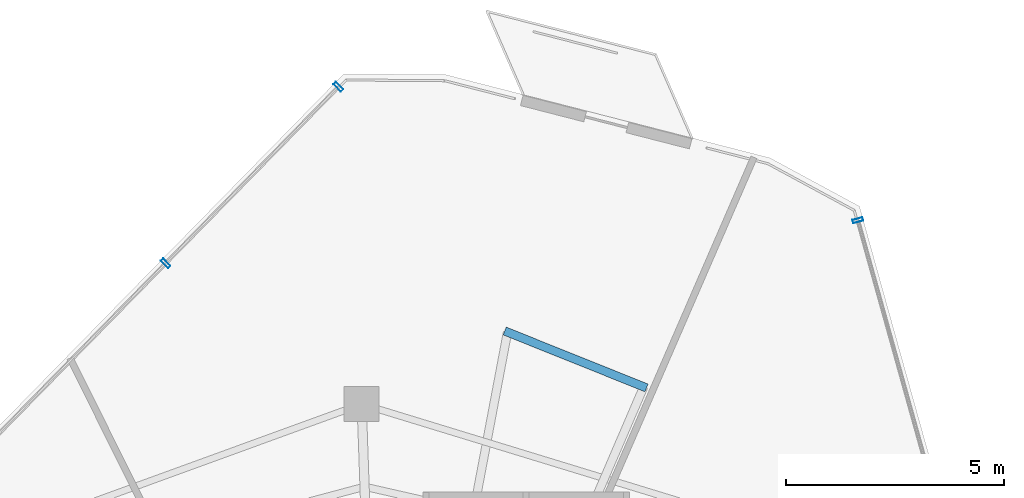
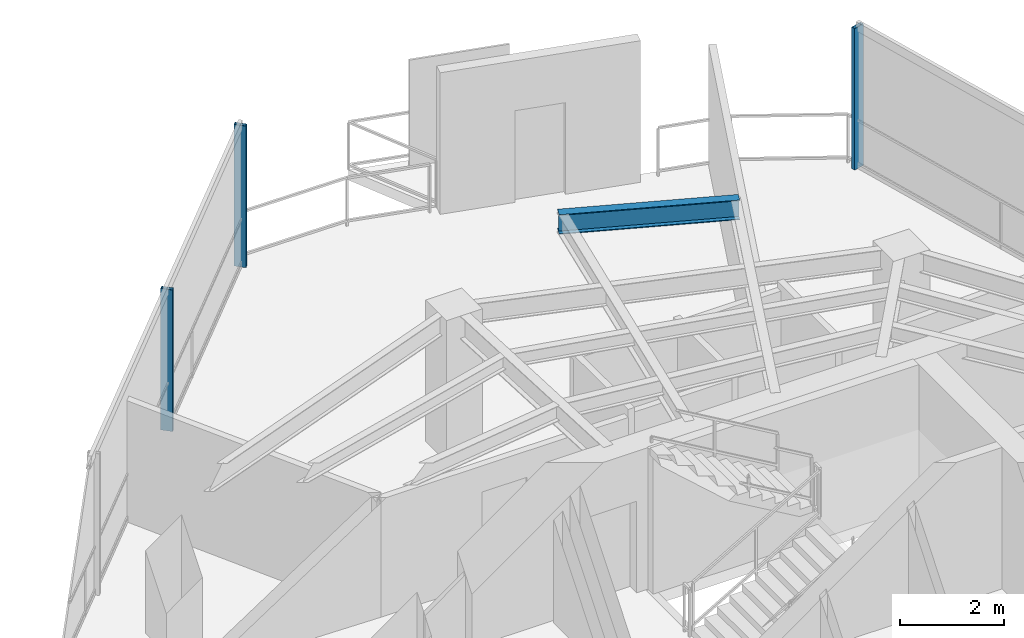
# One storey, part 13 of 18: 3 members, 1 beam, 2 elements without a shape of their own.
"""IFC4 building model written with IfcOpenShell, lengths in metres."""

from ifc_helpers import new_model, si_unit, direction, frame, origin, origin_2d, place, context, subcontext, project, spatial, hollow_rectangle, i_section, extrude, material, layer, layer_set, material_profile, profile_set, type_object, element, aggregate, save


model = new_model("IFC4")

# Units and contexts
model_context = context("Model", 3, precision=1e-05, world=origin(), true_north=direction((0.0, 1.0)))
body_context = subcontext(model_context, "Body", "Model", "MODEL_VIEW")
ifc_project = project(units=[si_unit("LENGTHUNIT", "METRE"), si_unit("AREAUNIT", "SQUARE_METRE"), si_unit("VOLUMEUNIT", "CUBIC_METRE"), si_unit("PLANEANGLEUNIT", "RADIAN"), si_unit("MASSUNIT", "GRAM", prefix="KILO")], contexts=[model_context])

# Site, building, storey
site_placement = place(None, origin())
site = spatial("IfcSite", under=ifc_project, at=site_placement, CompositionType="ELEMENT")
building_placement = place(site_placement, origin())
building = spatial("IfcBuilding", under=site, at=building_placement, Name="Qarnah Convention Tower", CompositionType="ELEMENT")
storey_placement = place(building_placement, frame((0.0, 0.0, 239.10009765625)))
storey = spatial("IfcBuildingStorey", under=building, at=storey_placement, Name="L64", CompositionType="ELEMENT", Elevation=239.10009765625)

# Beam
ifc_material_1 = material(Name="Structural steel S355JR", Category="steel")
ifc_material_profile_1 = material_profile(ifc_material_1, i_section(OverallWidth=0.19189453125, OverallDepth=0.464111328125, WebThickness=0.010986328125, FlangeThickness=0.01806640625, at=origin_2d()), Name="W460X89")
ifc_profile_set_1 = profile_set([ifc_material_profile_1], Name="Structural steel S355JR")
beam_type = type_object("IfcBeamType", Name="BM-CANT-W460A", PredefinedType="BEAM", material=ifc_profile_set_1)
beam_placement = place(storey_placement, frame((40.009033203125, 41.6201171875, 3.087890625), z_axis=(0.928063247738, -0.372422620417, 0.0), x_axis=(0.372422620417, 0.928063247738, 0.0)))
element("IfcBeam", 1, at=beam_placement, inside=storey, type_object=beam_type, Name="L64 spandrel BM-L64-CTIE-01", PredefinedType="SPANDREL", context=body_context, shape_type="SweptSolid", body=[
    extrude(i_section(OverallWidth=0.19189453125, OverallDepth=0.464111328125, WebThickness=0.010986328125, FlangeThickness=0.01806640625, at=origin_2d()), origin(), (0.0, 0.0, 1.0), 3.507080078125),
])

# Curtain wall, members
ifc_material_2 = material(Name="Tempered Low-E dark glass", Category="glass")
ifc_layer = layer(ifc_material_2, 0.176025390625)
ifc_layer_set = layer_set([ifc_layer], Name="Tempered Low-E dark glass")
curtain_wall_type = type_object("IfcCurtainWallType", Name="CWS-05", PredefinedType="NOTDEFINED", material=ifc_layer_set)
curtain_wall_1_placement = place(storey_placement, origin())
curtain_wall_1 = element("IfcCurtainWall", 2, at=curtain_wall_1_placement, inside=storey, type_object=curtain_wall_type, Name="L64 unitised curtain wall CW-L64-F1", PredefinedType="NOTDEFINED")
ifc_material_3 = material(Name="Black anodised aluminium", Category="aluminium")
ifc_material_profile_2 = material_profile(ifc_material_3, hollow_rectangle(XDim=0.080078125, YDim=0.239990234375, WallThickness=0.0048828125, at=origin_2d()), Name="MUL-80X240")
ifc_profile_set_2 = profile_set([ifc_material_profile_2], Name="Black anodised aluminium")
member_type = type_object("IfcMemberType", Name="MUL-T5", PredefinedType="MULLION", material=ifc_profile_set_2)
member_1_placement = place(storey_placement, frame((32.22607421875, 43.171875, 0.0), z_axis=(0.0, 0.0, 1.0), x_axis=(0.699640931758, 0.714494623219, 0.0)))
member_1 = element("IfcMember", 3, at=member_1_placement, type_object=member_type, Name="CW-L64-F1 mullion 5", PredefinedType="MULLION", context=body_context, shape_type="SweptSolid", body=[
    extrude(hollow_rectangle(XDim=0.080078125, YDim=0.239990234375, WallThickness=0.0048828125, at=origin_2d()), origin(), (0.0, 0.0, 1.0), 3.31982421875),
])
member_2_placement = place(storey_placement, frame((36.19189453125, 47.221923828125, 0.0), z_axis=(0.0, 0.0, 1.0), x_axis=(0.699640931758, 0.714494623219, 0.0)))
member_2 = element("IfcMember", 4, at=member_2_placement, type_object=member_type, Name="CW-L64-F1 mullion 6", PredefinedType="MULLION", context=body_context, shape_type="SweptSolid", body=[
    extrude(hollow_rectangle(XDim=0.080078125, YDim=0.239990234375, WallThickness=0.0048828125, at=origin_2d()), origin(), (0.0, 0.0, 1.0), 3.31982421875),
])
aggregate(curtain_wall_1, [member_1, member_2])

# Curtain wall, member
curtain_wall_2_placement = place(storey_placement, origin())
curtain_wall_2 = element("IfcCurtainWall", 5, at=curtain_wall_2_placement, inside=storey, type_object=curtain_wall_type, Name="L64 unitised curtain wall CW-L64-F3", PredefinedType="NOTDEFINED")
member_3_placement = place(storey_placement, frame((48.114013671875, 44.160888671875, 0.0), z_axis=(0.0, 0.0, 1.0), x_axis=(0.268928377077, -0.96316017775, 0.0)))
member_3 = element("IfcMember", 6, at=member_3_placement, type_object=member_type, Name="CW-L64-F3 mullion 1", PredefinedType="MULLION", context=body_context, shape_type="SweptSolid", body=[
    extrude(hollow_rectangle(XDim=0.080078125, YDim=0.239990234375, WallThickness=0.0048828125, at=origin_2d()), origin(), (0.0, 0.0, 1.0), 3.31982421875),
])
aggregate(curtain_wall_2, [member_3])

save(model, "model.ifc")
